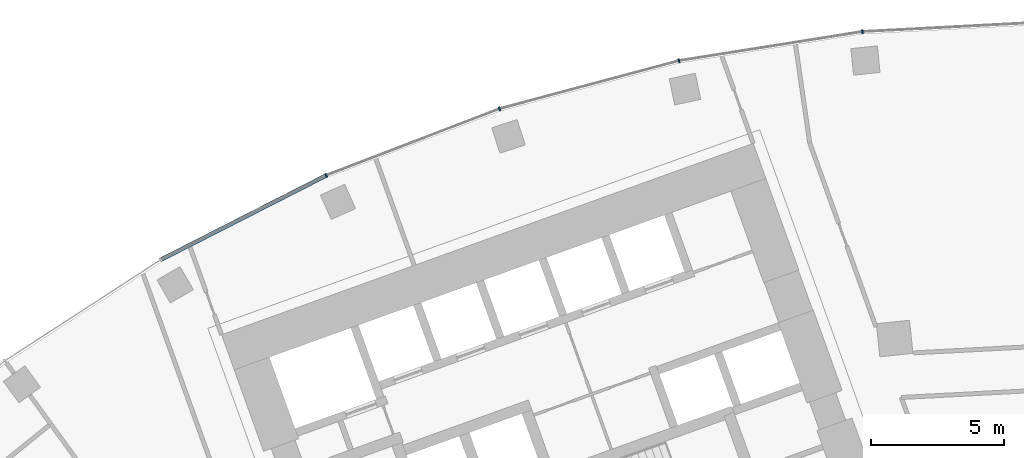
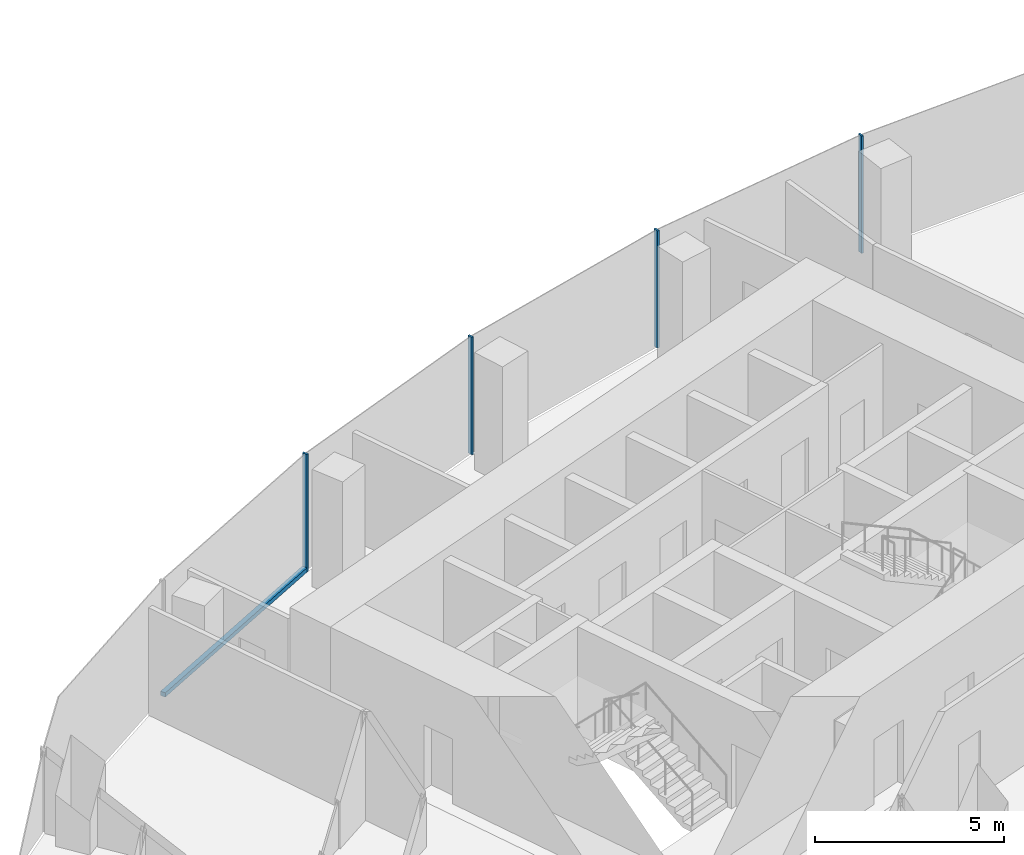
# One storey, part 6 of 21: 5 members, 1 element without a shape of its own.
"""IFC4 building model written with IfcOpenShell, lengths in metres."""

import ifcopenshell
import ifcopenshell.guid

model = None  # the IFC model being written
_history = None  # IfcOwnerHistory: only IFC2X3 demands one
_inside = {}  # id of a spatial element -> (the spatial element, [elements in it])
_under = {}  # id of a project, library or spatial element -> (it, [spatial elements below it])
_declared = {}  # id of a project -> (the project, [libraries it declares])
_typed = {}  # id of a type object -> (the type object, [elements of that type])
_made_of = {}  # id of a material, layer set ... -> (it, [elements and type objects made of it])


def new_model(schema):
    """Start an empty IFC model of exactly this schema.

    Asked for "IFC4X3", IfcOpenShell would pick the latest addendum, in which some entities
    have other attributes; the version numbers below select the first issue.
    IFC2X3 requires an IfcOwnerHistory on every rooted entity: one is made here for all.
    """
    global model, _history
    if schema == "IFC4X3":
        model = ifcopenshell.file(schema_version=(4, 3, 0, 0))
    else:
        model = ifcopenshell.file(schema=schema)
    _inside.clear()
    _under.clear()
    _declared.clear()
    _typed.clear()
    _made_of.clear()
    _history = None
    if model.schema == "IFC2X3":
        org = make("IfcOrganization", Name="unknown")
        user = make(
            "IfcPersonAndOrganization",
            ThePerson=make("IfcPerson", FamilyName="unknown"),
            TheOrganization=org,
        )
        app = make(
            "IfcApplication",
            ApplicationDeveloper=org,
            Version="unknown",
            ApplicationFullName="unknown",
            ApplicationIdentifier="unknown",
        )
        _history = make(
            "IfcOwnerHistory",
            OwningUser=user,
            OwningApplication=app,
            ChangeAction="ADDED",
            CreationDate=0,
        )
    return model


def make(cls, **values):
    """One entity of the class cls with the attributes given. An attribute that is None is left unset."""
    return model.create_entity(
        cls, **{name: value for name, value in values.items() if value is not None}
    )


def rooted(cls, **values):
    """An entity with a GlobalId (a new one), such as an element, a storey or a relation."""
    return make(cls, GlobalId=ifcopenshell.guid.new(), OwnerHistory=_history, **values)


def si_unit(unit_type, name, prefix=None):
    """IfcSIUnit, for example si_unit("LENGTHUNIT", "METRE", prefix="MILLI")."""
    return make("IfcSIUnit", UnitType=unit_type, Prefix=prefix, Name=name)


def assignment(units):
    """IfcUnitAssignment: the units of a project."""
    return None if units is None else make("IfcUnitAssignment", Units=units)


def point(xyz):
    """IfcCartesianPoint."""
    return None if xyz is None else make("IfcCartesianPoint", Coordinates=xyz)


def direction(xyz):
    """IfcDirection."""
    return None if xyz is None else make("IfcDirection", DirectionRatios=xyz)


def frame(location, z_axis=None, x_axis=None):
    """IfcAxis2Placement3D, a coordinate frame: its origin and axes. An axis left out is left unset."""
    return make(
        "IfcAxis2Placement3D",
        Location=point(location),
        Axis=direction(z_axis),
        RefDirection=direction(x_axis),
    )


def frame_2d(location, x_axis=None):
    """IfcAxis2Placement2D, a coordinate frame in the plane: its origin and x axis."""
    return make(
        "IfcAxis2Placement2D", Location=point(location), RefDirection=direction(x_axis)
    )


def origin():
    """The frame at (0, 0, 0) with its axes left unset."""
    return frame((0.0, 0.0, 0.0))


def origin_2d():
    """The frame at (0, 0) in the plane with its x axis left unset."""
    return frame_2d((0.0, 0.0))


def place(relative_to, where):
    """IfcLocalPlacement: puts the frame where relative to a parent placement (None: the world)."""
    return make(
        "IfcLocalPlacement", PlacementRelTo=relative_to, RelativePlacement=where
    )


def context(
    kind, dimensions, precision=None, world=None, true_north=None, identifier=None
):
    """IfcGeometricRepresentationContext, for example the 3D "Model" context."""
    return make(
        "IfcGeometricRepresentationContext",
        ContextIdentifier=identifier,
        ContextType=kind,
        CoordinateSpaceDimension=dimensions,
        Precision=precision,
        WorldCoordinateSystem=world,
        TrueNorth=true_north,
    )


def subcontext(parent, identifier, kind, view, scale=None):
    """IfcGeometricRepresentationSubContext, for example "Body" below "Model"."""
    return make(
        "IfcGeometricRepresentationSubContext",
        ContextIdentifier=identifier,
        ContextType=kind,
        ParentContext=parent,
        TargetScale=scale,
        TargetView=view,
    )


def project(units=None, contexts=None):
    """IfcProject with its units and contexts."""
    return rooted(
        "IfcProject",
        Name="project",
        RepresentationContexts=contexts,
        UnitsInContext=assignment(units),
    )


def spatial(cls, under=None, at=None, **own):
    """A site, building, storey or space (cls), placed at a placement, below another one or the project."""
    s = rooted(cls, ObjectPlacement=at, **own)
    if under is not None:
        _under.setdefault(under.id(), (under, []))[1].append(s)
    return s


def profile(cls, at=None, kind="AREA", **sizes):
    """A parametric profile (cls). Its sizes go by their IFC names, for example OverallWidth=200.0."""
    return make(cls, ProfileType=kind, Position=at, **sizes)


def rectangle(**sizes):
    """IfcRectangleProfileDef."""
    return profile("IfcRectangleProfileDef", **sizes)


def extrude(swept, where, along, depth):
    """IfcExtrudedAreaSolid: the profile swept, set in the frame where, extruded along a direction by depth."""
    return make(
        "IfcExtrudedAreaSolid",
        SweptArea=swept,
        Position=where,
        ExtrudedDirection=direction(along),
        Depth=depth,
    )


def shape(context_of_items, identifier, shape_type, items):
    """IfcShapeRepresentation: the items that make up one representation, for example the "Body"."""
    return make(
        "IfcShapeRepresentation",
        ContextOfItems=context_of_items,
        RepresentationIdentifier=identifier,
        RepresentationType=shape_type,
        Items=items,
    )


def material(Name=None, Category=None):
    """IfcMaterial."""
    return make("IfcMaterial", Name=Name, Category=Category)


def layer(
    of_material, thickness, ventilated=None, Name=None, Category=None, Priority=None
):
    """IfcMaterialLayer: one layer of a wall or slab, of a material (None: an air gap)."""
    return make(
        "IfcMaterialLayer",
        Material=of_material,
        LayerThickness=thickness,
        IsVentilated=ventilated,
        Name=Name,
        Category=Category,
        Priority=Priority,
    )


def layer_set(layers, Name=None):
    """IfcMaterialLayerSet."""
    return make("IfcMaterialLayerSet", MaterialLayers=layers, LayerSetName=Name)


def material_profile(
    of_material, cross_section, Name=None, Category=None, Priority=None
):
    """IfcMaterialProfile: a cross section and its material."""
    return make(
        "IfcMaterialProfile",
        Name=Name,
        Material=of_material,
        Profile=cross_section,
        Priority=Priority,
        Category=Category,
    )


def profile_set(profiles, Name=None, composite=None):
    """IfcMaterialProfileSet."""
    return make(
        "IfcMaterialProfileSet",
        Name=Name,
        MaterialProfiles=profiles,
        CompositeProfile=composite,
    )


def made_of(thing, what):
    """Note that an element or type object is made of a material, layer set ...; save() writes the relation."""
    if what is not None:
        _made_of.setdefault(what.id(), (what, []))[1].append(thing)
    return thing


def type_object(cls, material=None, **own):
    """A type object (cls), such as IfcWallType, which elements share."""
    return made_of(rooted(cls, **own), material)


def element(
    cls,
    number,
    at=None,
    inside=None,
    cuts=None,
    type_object=None,
    material=None,
    context=None,
    identifier="Body",
    shape_type=None,
    held_by="IfcProductDefinitionShape",
    body=None,
    shapes=None,
    **own,
):
    """One element of the class cls, such as IfcWall. Its Tag is "e" and its number.

    at: its placement. inside: the storey or other place that contains it. cuts: it is an
    opening in that element (IfcRelVoidsElement). A single representation is given by context,
    identifier, shape_type and body (its items); several are given by shapes. held_by: the class
    of the entity that holds the representations. save() writes the other relations.
    """
    e = rooted(cls, Tag="e%d" % number, ObjectPlacement=at, **own)
    if body is not None:
        shapes = [shape(context, identifier, shape_type, body)]
    if shapes is not None:
        e.Representation = make(held_by, Representations=shapes)
    if inside is not None:
        _inside.setdefault(inside.id(), (inside, []))[1].append(e)
    if cuts is not None:
        rooted(
            "IfcRelVoidsElement", RelatingBuildingElement=cuts, RelatedOpeningElement=e
        )
    if type_object is not None:
        _typed.setdefault(type_object.id(), (type_object, []))[1].append(e)
    return made_of(e, material)


def aggregate(whole, parts):
    """IfcRelAggregates: a whole, such as a stair, and the parts it consists of."""
    return rooted("IfcRelAggregates", RelatingObject=whole, RelatedObjects=parts)


def save(model, path):
    """Write the relations noted so far, then the file.

    IfcRelAggregates (storeys below a building ...), IfcRelContainedInSpatialStructure (elements
    in a storey), IfcRelDefinesByType, IfcRelAssociatesMaterial and IfcRelDeclares: one each for
    every whole, place, type object, material and project.
    """
    for whole, parts in _under.values():
        aggregate(whole, parts)
    for where, things in _inside.values():
        rooted(
            "IfcRelContainedInSpatialStructure",
            RelatedElements=things,
            RelatingStructure=where,
        )
    for kind, things in _typed.values():
        rooted("IfcRelDefinesByType", RelatedObjects=things, RelatingType=kind)
    for what, things in _made_of.values():
        rooted("IfcRelAssociatesMaterial", RelatedObjects=things, RelatingMaterial=what)
    for by, libraries in _declared.values():
        rooted("IfcRelDeclares", RelatingContext=by, RelatedDefinitions=libraries)
    model.write(path)


model = new_model("IFC4")

# Units and contexts
model_context = context("Model", 3, precision=1e-05, world=origin(), true_north=direction((0.0, 1.0)))
body_context = subcontext(model_context, "Body", "Model", "MODEL_VIEW")
ifc_project = project(units=[si_unit("LENGTHUNIT", "METRE"), si_unit("AREAUNIT", "SQUARE_METRE"), si_unit("VOLUMEUNIT", "CUBIC_METRE"), si_unit("PLANEANGLEUNIT", "RADIAN"), si_unit("MASSUNIT", "GRAM", prefix="KILO")], contexts=[model_context])

# Site, building, storey
site_placement = place(None, origin())
site = spatial("IfcSite", under=ifc_project, at=site_placement, CompositionType="ELEMENT")
building_placement = place(site_placement, origin())
building = spatial("IfcBuilding", under=site, at=building_placement, Name="Stone Belt Terrace Tower", CompositionType="ELEMENT")
storey_placement = place(building_placement, frame((0.0, 0.0, 151.60009765625)))
storey = spatial("IfcBuildingStorey", under=building, at=storey_placement, Name="L36", CompositionType="ELEMENT", Elevation=151.60009765625)

# Curtain wall, members
ifc_material = material(Name="Aluminium 6063-T6 anodised frame", Category="aluminium")
ifc_layer = layer(ifc_material, 0.14990234375)
ifc_layer_set = layer_set([ifc_layer], Name="CW-A unitised convex-face curtain wall")
curtain_wall_type = type_object("IfcCurtainWallType", Name="CW-A unitised convex-face curtain wall", PredefinedType="NOTDEFINED", material=ifc_layer_set)
curtain_wall_placement = place(storey_placement, origin())
curtain_wall = element("IfcCurtainWall", 1, at=curtain_wall_placement, inside=storey, type_object=curtain_wall_type, Name="CW-A convex face L36", PredefinedType="NOTDEFINED")
ifc_material_profile_1 = material_profile(ifc_material, rectangle(XDim=0.14990234375, YDim=0.06005859375, at=origin_2d()), Name="Aluminium 6063-T6 60x150")
ifc_profile_set_1 = profile_set([ifc_material_profile_1], Name="Aluminium 6063-T6 anodised frame")
member_type_1 = type_object("IfcMemberType", Name="CW-A mullion 60 x 150", PredefinedType="MULLION", material=ifc_profile_set_1)
member_1_placement = place(storey_placement, frame((-6.958984375, 66.21044921875, 0.0), z_axis=(0.0, 0.0, 1.0), x_axis=(0.104528463268, -0.994521895368, 0.0)))
member_1 = element("IfcMember", 2, at=member_1_placement, type_object=member_type_1, Name="CW-A mullion 10", PredefinedType="MULLION", context=body_context, shape_type="SweptSolid", body=[
    extrude(rectangle(XDim=0.14990234375, YDim=0.06005859375, at=origin_2d()), origin(), (0.0, 0.0, 1.0), 3.7998046875),
])
member_2_placement = place(storey_placement, frame((-13.841796875, 65.120361328125, 0.0), z_axis=(0.0, 0.0, 1.0), x_axis=(0.207911690818, -0.978147600734, 0.0)))
member_2 = element("IfcMember", 3, at=member_2_placement, type_object=member_type_1, Name="CW-A mullion 11", PredefinedType="MULLION", context=body_context, shape_type="SweptSolid", body=[
    extrude(rectangle(XDim=0.14990234375, YDim=0.06005859375, at=origin_2d()), origin(), (0.0, 0.0, 1.0), 3.7998046875),
])
member_3_placement = place(storey_placement, frame((-20.57275390625, 63.316650390625, 0.0), z_axis=(0.0, 0.0, 1.0), x_axis=(0.309016994375, -0.951056516295, 0.0)))
member_3 = element("IfcMember", 4, at=member_3_placement, type_object=member_type_1, Name="CW-A mullion 12", PredefinedType="MULLION", context=body_context, shape_type="SweptSolid", body=[
    extrude(rectangle(XDim=0.14990234375, YDim=0.06005859375, at=origin_2d()), origin(), (0.0, 0.0, 1.0), 3.7998046875),
])
member_4_placement = place(storey_placement, frame((-27.07861328125, 60.8193359375, 0.0), z_axis=(0.0, 0.0, 1.0), x_axis=(0.406736643076, -0.913545457643, 0.0)))
member_4 = element("IfcMember", 5, at=member_4_placement, type_object=member_type_1, Name="CW-A mullion 13", PredefinedType="MULLION", context=body_context, shape_type="SweptSolid", body=[
    extrude(rectangle(XDim=0.14990234375, YDim=0.06005859375, at=origin_2d()), origin(), (0.0, 0.0, 1.0), 3.7998046875),
])
ifc_material_profile_2 = material_profile(ifc_material, rectangle(XDim=0.14990234375, YDim=0.139892578125, at=origin_2d()), Name="Aluminium 6063-T6 150x140")
ifc_profile_set_2 = profile_set([ifc_material_profile_2], Name="Aluminium 6063-T6 anodised frame")
member_type_2 = type_object("IfcMemberType", Name="CW-A transom 140 x 150", PredefinedType="USERDEFINED", material=ifc_profile_set_2)
member_5_placement = place(storey_placement, frame((-27.108642578125, 60.803955078125, 0.06982421875), z_axis=(-0.891012226264, -0.453979308613, 0.0), x_axis=(0.453979308613, -0.891012226264, 0.0)))
member_5 = element("IfcMember", 6, at=member_5_placement, type_object=member_type_2, Name="CW-A transom 13.1", ObjectType="TRANSOM", PredefinedType="USERDEFINED", context=body_context, shape_type="SweptSolid", body=[
    extrude(rectangle(XDim=0.14990234375, YDim=0.139892578125, at=origin_2d()), origin(), (0.0, 0.0, 1.0), 6.90087890625),
])
aggregate(curtain_wall, [member_1, member_2, member_3, member_4, member_5])

save(model, "model.ifc")
